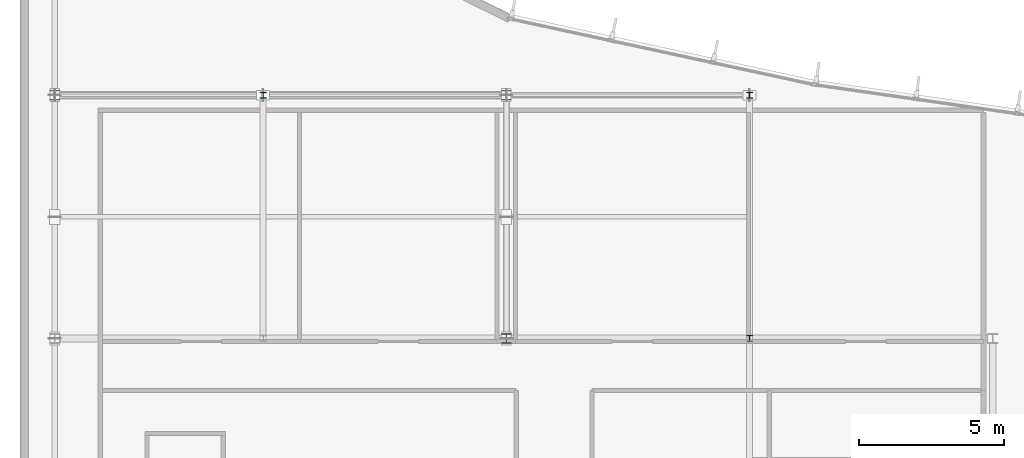
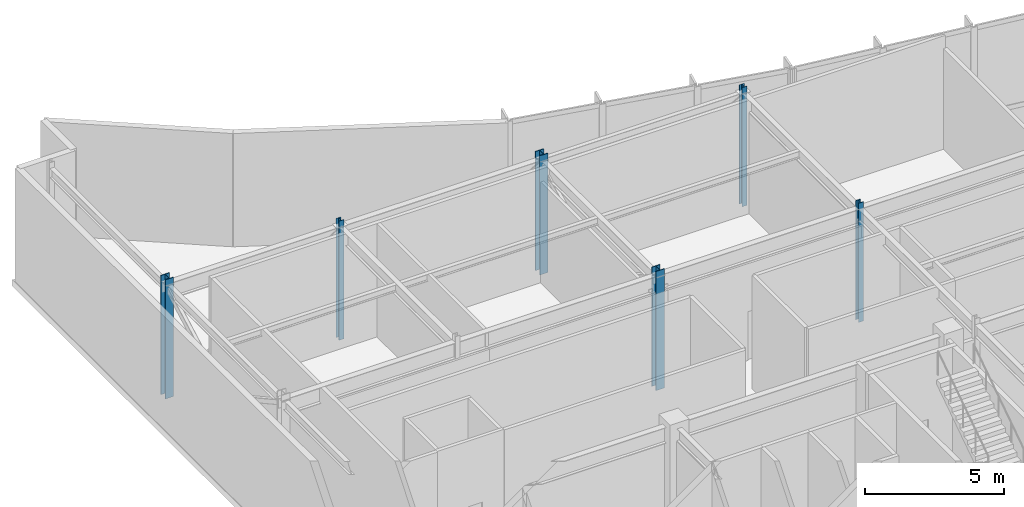
# One storey, part 2 of 14: 6 columns.
"""IFC4 building model written with IfcOpenShell, lengths in metres."""

from ifc_helpers import new_model, si_unit, direction, frame, origin, origin_2d, place, context, subcontext, project, spatial, i_section, extrude, material, material_profile, profile_set, type_object, element, save


model = new_model("IFC4")

# Units and contexts
model_context = context("Model", 3, precision=1e-05, world=origin(), true_north=direction((0.0, 1.0)))
body_context = subcontext(model_context, "Body", "Model", "MODEL_VIEW")
ifc_project = project(units=[si_unit("LENGTHUNIT", "METRE"), si_unit("AREAUNIT", "SQUARE_METRE"), si_unit("VOLUMEUNIT", "CUBIC_METRE"), si_unit("PLANEANGLEUNIT", "RADIAN"), si_unit("MASSUNIT", "GRAM", prefix="KILO")], contexts=[model_context])

# Site, building, storey
site_placement = place(None, origin())
site = spatial("IfcSite", under=ifc_project, at=site_placement, CompositionType="ELEMENT")
building_placement = place(site_placement, origin())
building = spatial("IfcBuilding", under=site, at=building_placement, Name="Varnakote Quay Hospital", CompositionType="ELEMENT")
storey_placement = place(building_placement, frame((0.0, 0.0, 303.949951171875)))
storey = spatial("IfcBuildingStorey", under=building, at=storey_placement, Name="L75", CompositionType="ELEMENT", Elevation=303.949951171875)

# Columns
ifc_material_1 = material(Name="Structural steel AS/NZS 3679.1 Grade 350 L0 (fy 340 MPa)", Category="steel")
ifc_material_profile_1 = material_profile(ifc_material_1, i_section(OverallWidth=0.205078125, OverallDepth=0.2099609375, WebThickness=0.00927734375, FlangeThickness=0.01416015625, FilletRadius=0.011474609375, at=origin_2d()), Name="200UC59.5")
ifc_profile_set_1 = profile_set([ifc_material_profile_1], Name="Structural steel AS/NZS 3679.1 Grade 350 L0 (fy 340 MPa)")
column_type_1 = type_object("IfcColumnType", Name="COL-STL-200UC59-5", PredefinedType="COLUMN", material=ifc_profile_set_1)
for number, where, z_axis, x_axis, name in (
    (1, (25.199951171875, 20.39990234375, 0.0), (0.0, 0.0, 1.0), (1.0, 0.0, 0.0), "L75 Structural Column C-25-20"),
    (2, (8.39990234375, 28.800048828125, 0.0), (0.0, 0.0, 1.0), (1.0, 0.0, 0.0), "L75 Structural Column C-8-29"),
    (3, (25.199951171875, 28.800048828125, 0.0), (0.0, 0.0, 1.0), (1.0, 0.0, 0.0), "L75 Structural Column C-25-29"),
):
    element("IfcColumn", number, at=place(storey_placement, frame(where, z_axis=z_axis, x_axis=x_axis)), inside=storey, type_object=column_type_1, Name=name, PredefinedType="COLUMN", context=body_context, shape_type="SweptSolid", body=[
        extrude(i_section(OverallWidth=0.205078125, OverallDepth=0.2099609375, WebThickness=0.00927734375, FlangeThickness=0.01416015625, FilletRadius=0.011474609375, at=origin_2d()), origin(), (0.0, 0.0, 1.0), 5.25),
    ])
ifc_material_2 = material(Name="Structural steel AS/NZS 3678 Grade 350 (fy 340 MPa)", Category="steel")
ifc_material_profile_2 = material_profile(ifc_material_2, i_section(OverallWidth=0.35009765625, OverallDepth=0.340087890625, WebThickness=0.01611328125, FlangeThickness=0.028076171875, at=origin_2d()), Name="350WC197")
ifc_profile_set_2 = profile_set([ifc_material_profile_2], Name="Structural steel AS/NZS 3678 Grade 350 (fy 340 MPa)")
column_type_2 = type_object("IfcColumnType", Name="COL-STL-350WC197", PredefinedType="COLUMN", material=ifc_profile_set_2)
for number, where, z_axis, x_axis, name in (
    (4, (16.800048828125, 20.39990234375, 0.0), (0.0, 0.0, 1.0), (1.0, 0.0, 0.0), "L75 Structural Column C-17-20"),
    (5, (1.199951171875, 28.800048828125, 0.0), (0.0, 0.0, 1.0), (1.0, 0.0, 0.0), "L75 Structural Column C-1-29"),
    (6, (16.800048828125, 28.800048828125, 0.0), (0.0, 0.0, 1.0), (1.0, 0.0, 0.0), "L75 Structural Column C-17-29"),
):
    element("IfcColumn", number, at=place(storey_placement, frame(where, z_axis=z_axis, x_axis=x_axis)), inside=storey, type_object=column_type_2, Name=name, PredefinedType="COLUMN", context=body_context, shape_type="SweptSolid", body=[
        extrude(i_section(OverallWidth=0.35009765625, OverallDepth=0.340087890625, WebThickness=0.01611328125, FlangeThickness=0.028076171875, at=origin_2d()), origin(), (0.0, 0.0, 1.0), 5.25),
    ])

save(model, "model.ifc")
